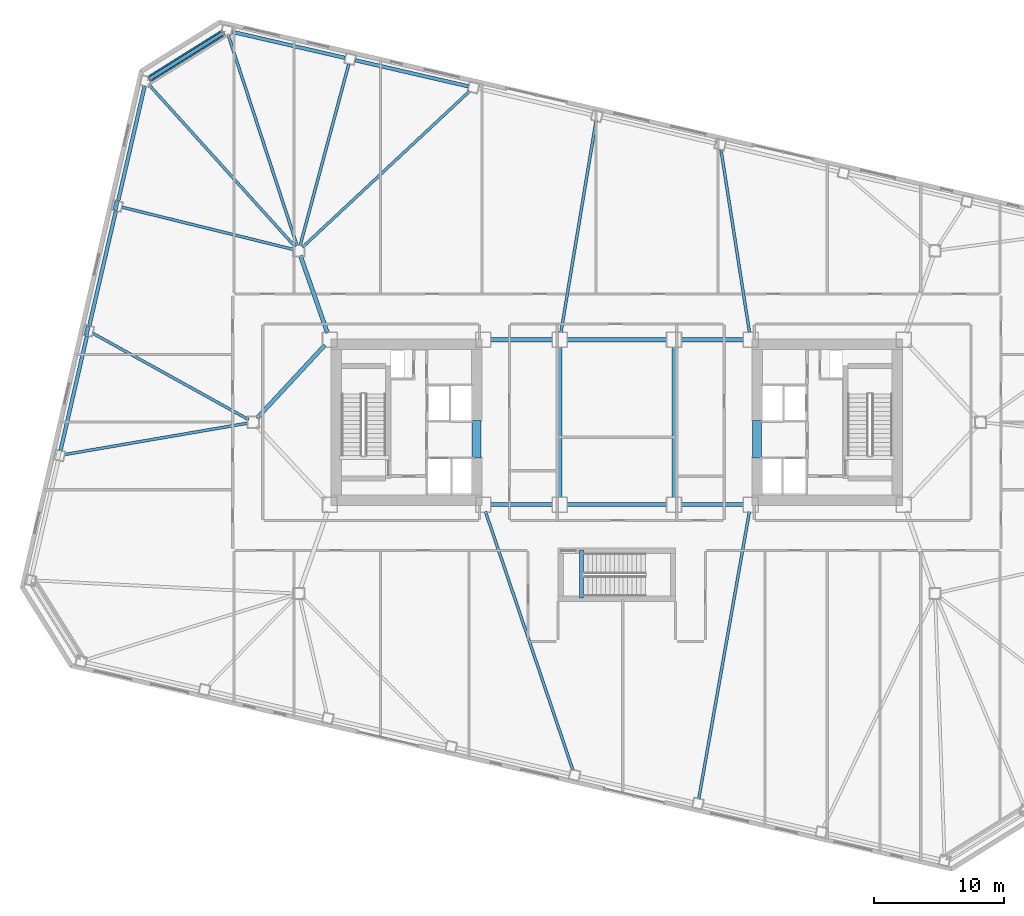
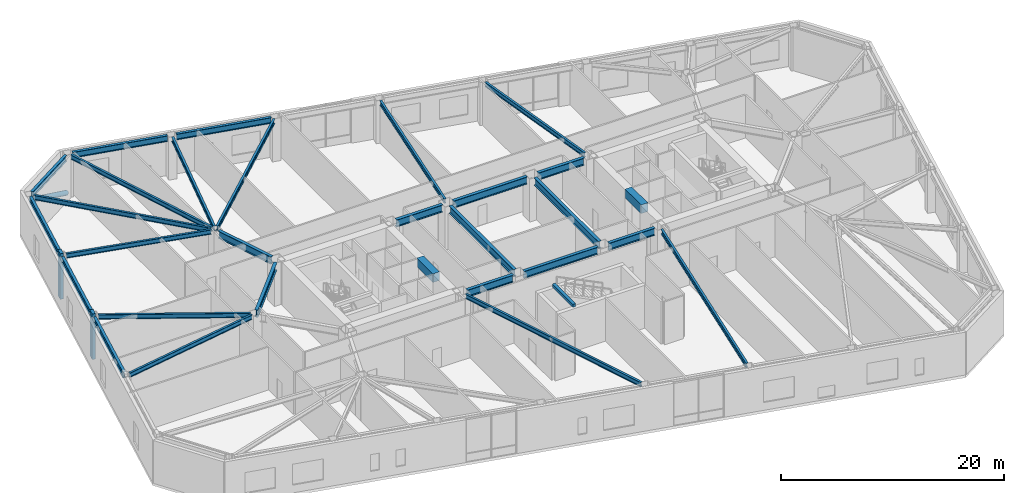
# One storey, part 5 of 20: 30 beams, 3 members.
"""IFC4 building model written with IfcOpenShell, lengths in metres."""

from ifc_helpers import new_model, si_unit, direction, frame, origin, origin_2d, place, context, subcontext, project, spatial, rectangle, hollow_circle, i_section, extrude, material, material_profile, profile_set, type_object, element, save


model = new_model("IFC4")

# Units and contexts
model_context = context("Model", 3, precision=1e-05, world=origin(), true_north=direction((0.0, 1.0)))
body_context = subcontext(model_context, "Body", "Model", "MODEL_VIEW")
ifc_project = project(units=[si_unit("LENGTHUNIT", "METRE"), si_unit("AREAUNIT", "SQUARE_METRE"), si_unit("VOLUMEUNIT", "CUBIC_METRE"), si_unit("PLANEANGLEUNIT", "RADIAN"), si_unit("MASSUNIT", "GRAM", prefix="KILO")], contexts=[model_context])

# Site, building, storey
site_placement = place(None, origin())
site = spatial("IfcSite", under=ifc_project, at=site_placement, CompositionType="ELEMENT")
building_placement = place(site_placement, origin())
building = spatial("IfcBuilding", under=site, at=building_placement, Name="Tavrogorsk Clinical Tower", CompositionType="ELEMENT")
storey_placement = place(building_placement, frame((0.0, 0.0, 18.39990234375)))
storey = spatial("IfcBuildingStorey", under=building, at=storey_placement, Name="L03", CompositionType="ELEMENT", Elevation=18.39990234375)

# Beams
ifc_material_1 = material(Name="Concrete B80", Category="concrete")
ifc_material_profile_1 = material_profile(ifc_material_1, rectangle(XDim=0.699951171875, YDim=0.949951171875, at=origin_2d()), Name="RC-CB-700x950")
ifc_profile_set_1 = profile_set([ifc_material_profile_1], Name="Concrete B80")
beam_type_1 = type_object("IfcBeamType", Name="CouplingBeam_RC700x950", PredefinedType="LINTEL", material=ifc_profile_set_1)
for number, where, z_axis, x_axis, name in (
    (1, (-10.800048828125, -2.75, 4.22509765625), (0.0, 1.0, 0.0), (-1.0, 0.0, 0.0), "L03 Core West Coupling Beam"),
    (2, (10.800048828125, -2.75, 4.22509765625), (0.0, 1.0, 0.0), (-1.0, 0.0, 0.0), "L03 Core East Coupling Beam"),
):
    element("IfcBeam", number, at=place(storey_placement, frame(where, z_axis=z_axis, x_axis=x_axis)), inside=storey, type_object=beam_type_1, Name=name, PredefinedType="LINTEL", context=body_context, shape_type="SweptSolid", body=[
        extrude(rectangle(XDim=0.699951171875, YDim=0.949951171875, at=origin_2d()), origin(), (0.0, 0.0, 1.0), 2.89990234375),
    ])

# Member
ifc_material_2 = material(Name="Structural steel S440", Category="steel")
ifc_material_profile_2 = material_profile(ifc_material_2, hollow_circle(Radius=0.25390625, WallThickness=0.02001953125, at=origin_2d()), Name="CHS-508x20")
ifc_profile_set_2 = profile_set([ifc_material_profile_2], Name="Structural steel S440")
member_type_1 = type_object("IfcMemberType", Name="ExoBrace_CHS508", PredefinedType="BRACE", material=ifc_profile_set_2)
member_placement = place(storey_placement, frame((-30.348876953125, 29.96337890625, 0.4833984375), z_axis=(-0.757567326236, -0.473364357029, 0.449464049413), x_axis=(0.529906183758, -0.848056269604, 0.0)))
element("IfcMember", 3, at=member_placement, inside=storey, type_object=member_type_1, Name="L03 Corner Exoskeleton Brace N8-W1", PredefinedType="BRACE", context=body_context, shape_type="SweptSolid", body=[
    extrude(hollow_circle(Radius=0.25390625, WallThickness=0.02001953125, at=origin_2d()), origin(), (0.0, 0.0, 1.0), 7.416015625),
])

# Beams
ifc_material_3 = material(Name="Structural steel S355", Category="steel")
ifc_material_profile_3 = material_profile(ifc_material_3, i_section(OverallWidth=0.219970703125, OverallDepth=0.5, WebThickness=0.012939453125, FlangeThickness=0.02001953125, at=origin_2d()), Name="B-500x220x13x20")
ifc_profile_set_3 = profile_set([ifc_material_profile_3], Name="Structural steel S355")
beam_type_2 = type_object("IfcBeamType", Name="FloorBeam_B500", PredefinedType="BEAM", material=ifc_profile_set_3)
beam_1_placement = place(storey_placement, frame((-10.12060546875, -6.88037109375, 4.4501953125), z_axis=(0.320354062285, -0.947297880699, 0.0), x_axis=(0.947297880699, 0.320354062285, 0.0)))
element("IfcBeam", 4, at=beam_1_placement, inside=storey, type_object=beam_type_2, Name="L03 Radial Floor Beam S5", PredefinedType="BEAM", context=body_context, shape_type="SweptSolid", body=[
    extrude(i_section(OverallWidth=0.219970703125, OverallDepth=0.5, WebThickness=0.012939453125, FlangeThickness=0.02001953125, at=origin_2d()), origin(), (0.0, 0.0, 1.0), 21.0185546875),
])
beam_2_placement = place(storey_placement, frame((10.202880859375, -6.901611328125, 4.4501953125), z_axis=(-0.173586433417, -0.984818638194, 0.0), x_axis=(0.984818638194, -0.173586433417, 0.0)))
element("IfcBeam", 5, at=beam_2_placement, inside=storey, type_object=beam_type_2, Name="L03 Radial Floor Beam S6", PredefinedType="BEAM", context=body_context, shape_type="SweptSolid", body=[
    extrude(i_section(OverallWidth=0.219970703125, OverallDepth=0.5, WebThickness=0.012939453125, FlangeThickness=0.02001953125, at=origin_2d()), origin(), (0.0, 0.0, 1.0), 22.407470703125),
])
beam_3_placement = place(storey_placement, frame((10.213623046875, 6.9033203125, 4.4501953125), z_axis=(-0.154089917001, 0.988056829073, 0.0), x_axis=(-0.988056829073, -0.154089917001, 0.0)))
element("IfcBeam", 6, at=beam_3_placement, inside=storey, type_object=beam_type_2, Name="L03 Radial Floor Beam N4", PredefinedType="BEAM", context=body_context, shape_type="SweptSolid", body=[
    extrude(i_section(OverallWidth=0.219970703125, OverallDepth=0.5, WebThickness=0.012939453125, FlangeThickness=0.02001953125, at=origin_2d()), origin(), (0.0, 0.0, 1.0), 14.24853515625),
])
beam_4_placement = place(storey_placement, frame((-4.308349609375, 6.90234375, 4.4501953125), z_axis=(0.163563683006, 0.986532777763, 0.0), x_axis=(-0.986532777763, 0.163563683006, 0.0)))
element("IfcBeam", 7, at=beam_4_placement, inside=storey, type_object=beam_type_2, Name="L03 Radial Floor Beam N5", PredefinedType="BEAM", context=body_context, shape_type="SweptSolid", body=[
    extrude(i_section(OverallWidth=0.219970703125, OverallDepth=0.5, WebThickness=0.012939453125, FlangeThickness=0.02001953125, at=origin_2d()), origin(), (0.0, 0.0, 1.0), 16.4951171875),
])
beam_5_placement = place(storey_placement, frame((-24.200439453125, 13.47998046875, 4.4501953125), z_axis=(0.730781163302, 0.682611816015, 0.0), x_axis=(-0.682611816015, 0.730781163302, 0.0)))
element("IfcBeam", 8, at=beam_5_placement, inside=storey, type_object=beam_type_2, Name="L03 Radial Floor Beam N6", PredefinedType="BEAM", context=body_context, shape_type="SweptSolid", body=[
    extrude(i_section(OverallWidth=0.219970703125, OverallDepth=0.5, WebThickness=0.012939453125, FlangeThickness=0.02001953125, at=origin_2d()), origin(), (0.0, 0.0, 1.0), 17.597412109375),
])
beam_6_placement = place(storey_placement, frame((-24.393798828125, 13.595947265625, 4.4501953125), z_axis=(0.25900262632, 0.965876617151, 0.0), x_axis=(-0.965876617151, 0.25900262632, 0.0)))
element("IfcBeam", 9, at=beam_6_placement, inside=storey, type_object=beam_type_2, Name="L03 Radial Floor Beam N7", PredefinedType="BEAM", context=body_context, shape_type="SweptSolid", body=[
    extrude(i_section(OverallWidth=0.219970703125, OverallDepth=0.5, WebThickness=0.012939453125, FlangeThickness=0.02001953125, at=origin_2d()), origin(), (0.0, 0.0, 1.0), 14.46728515625),
])
beam_7_placement = place(storey_placement, frame((-24.62744140625, 13.58984375, 4.4501953125), z_axis=(-0.310546210819, 0.950558283824, 0.0), x_axis=(-0.950558283824, -0.310546210819, 0.0)))
element("IfcBeam", 10, at=beam_7_placement, inside=storey, type_object=beam_type_2, Name="L03 Radial Floor Beam N8", PredefinedType="BEAM", context=body_context, shape_type="SweptSolid", body=[
    extrude(i_section(OverallWidth=0.219970703125, OverallDepth=0.5, WebThickness=0.012939453125, FlangeThickness=0.02001953125, at=origin_2d()), origin(), (0.0, 0.0, 1.0), 17.0205078125),
])
beam_8_placement = place(storey_placement, frame((-24.774658203125, 13.50439453125, 4.4501953125), z_axis=(-0.669660294237, 0.742667550337, 0.0), x_axis=(-0.742667550337, -0.669660294237, 0.0)))
element("IfcBeam", 11, at=beam_8_placement, inside=storey, type_object=beam_type_2, Name="L03 Radial Floor Beam W1", PredefinedType="BEAM", context=body_context, shape_type="SweptSolid", body=[
    extrude(i_section(OverallWidth=0.219970703125, OverallDepth=0.5, WebThickness=0.012939453125, FlangeThickness=0.02001953125, at=origin_2d()), origin(), (0.0, 0.0, 1.0), 16.76708984375),
])
beam_9_placement = place(storey_placement, frame((-24.89794921875, 13.298095703125, 4.4501953125), z_axis=(-0.970889910259, 0.23952616174, 0.0), x_axis=(-0.23952616174, -0.970889910259, 0.0)))
element("IfcBeam", 12, at=beam_9_placement, inside=storey, type_object=beam_type_2, Name="L03 Radial Floor Beam W2", PredefinedType="BEAM", context=body_context, shape_type="SweptSolid", body=[
    extrude(i_section(OverallWidth=0.219970703125, OverallDepth=0.5, WebThickness=0.012939453125, FlangeThickness=0.02001953125, at=origin_2d()), origin(), (0.0, 0.0, 1.0), 13.595947265625),
])
beam_10_placement = place(storey_placement, frame((-28.358642578125, 0.19873046875, 4.4501953125), z_axis=(-0.874654711976, 0.484746464472, 0.0), x_axis=(-0.484746464472, -0.874654711976, 0.0)))
element("IfcBeam", 13, at=beam_10_placement, inside=storey, type_object=beam_type_2, Name="L03 Radial Floor Beam W3", PredefinedType="BEAM", context=body_context, shape_type="SweptSolid", body=[
    extrude(i_section(OverallWidth=0.219970703125, OverallDepth=0.5, WebThickness=0.012939453125, FlangeThickness=0.02001953125, at=origin_2d()), origin(), (0.0, 0.0, 1.0), 13.7158203125),
])
beam_11_placement = place(storey_placement, frame((-28.404052734375, -0.0693359375, 4.4501953125), z_axis=(-0.985592408786, -0.169137824698, 0.0), x_axis=(0.169137824698, -0.985592408786, 0.0)))
element("IfcBeam", 14, at=beam_11_placement, inside=storey, type_object=beam_type_2, Name="L03 Radial Floor Beam W4", PredefinedType="BEAM", context=body_context, shape_type="SweptSolid", body=[
    extrude(i_section(OverallWidth=0.219970703125, OverallDepth=0.5, WebThickness=0.012939453125, FlangeThickness=0.02001953125, at=origin_2d()), origin(), (0.0, 0.0, 1.0), 14.33056640625),
])

# Members
ifc_material_4 = material(Name="Precast concrete B45 with limestone cladding", Category="masonry")
ifc_material_profile_4 = material_profile(ifc_material_4, rectangle(XDim=0.320068359375, YDim=0.719970703125, at=origin_2d()), Name="LIMESTONE-FIN-320x720")
ifc_profile_set_4 = profile_set([ifc_material_profile_4], Name="Precast concrete B45 with limestone cladding")
member_type_2 = type_object("IfcMemberType", Name="LimestonePleatFin_320x720", PredefinedType="USERDEFINED", material=ifc_profile_set_4)
for number, where, z_axis, x_axis, name in (
    (15, (-38.572265625, 16.67041015625, 0.0), (0.0, 0.0, 1.0), (0.974370064785, -0.224951054344, 0.0), "L03 W Pleated Stone Fin 1"),
    (16, (-40.7900390625, 7.06298828125, 0.0), (0.0, 0.0, 1.0), (0.974370064785, -0.224951054344, 0.0), "L03 W Pleated Stone Fin 2"),
):
    element("IfcMember", number, at=place(storey_placement, frame(where, z_axis=z_axis, x_axis=x_axis)), inside=storey, type_object=member_type_2, Name=name, ObjectType="FIN", PredefinedType="USERDEFINED", context=body_context, shape_type="SweptSolid", body=[
        extrude(rectangle(XDim=0.320068359375, YDim=0.719970703125, at=origin_2d()), origin(), (0.0, 0.0, 1.0), 5.0),
    ])

# Beams
ifc_material_5 = material(Name="Structural steel S390", Category="steel")
ifc_material_profile_5 = material_profile(ifc_material_5, i_section(OverallWidth=0.320068359375, OverallDepth=0.800048828125, WebThickness=0.02001953125, FlangeThickness=0.033935546875, at=origin_2d()), Name="B-800x320x20x34")
ifc_profile_set_5 = profile_set([ifc_material_profile_5], Name="Structural steel S390")
beam_type_3 = type_object("IfcBeamType", Name="PrimaryGirder_B800", PredefinedType="USERDEFINED", material=ifc_profile_set_5)
for number, where, z_axis, x_axis, name in (
    (17, (-9.739990234375, -6.35009765625, 4.300048828125), (1.0, 0.0, 0.0), (0.0, 1.0, 0.0), "L03 Primary Spine Girder MG-01"),
    (18, (-9.739990234375, 6.35009765625, 4.300048828125), (1.0, 0.0, 0.0), (0.0, 1.0, 0.0), "L03 Primary Spine Girder MG-02"),
):
    element("IfcBeam", number, at=place(storey_placement, frame(where, z_axis=z_axis, x_axis=x_axis)), inside=storey, type_object=beam_type_3, Name=name, ObjectType="GIRDER", PredefinedType="USERDEFINED", context=body_context, shape_type="SweptSolid", body=[
        extrude(i_section(OverallWidth=0.320068359375, OverallDepth=0.800048828125, WebThickness=0.02001953125, FlangeThickness=0.033935546875, at=origin_2d()), origin(), (0.0, 0.0, 1.0), 4.780029296875),
    ])
for number, where, z_axis, x_axis, name in (
    (19, (-3.840087890625, -6.35009765625, 4.300048828125), (1.0, 0.0, 0.0), (0.0, 1.0, 0.0), "L03 Primary Spine Girder MG-03"),
    (20, (-3.840087890625, 6.35009765625, 4.300048828125), (1.0, 0.0, 0.0), (0.0, 1.0, 0.0), "L03 Primary Spine Girder MG-04"),
):
    element("IfcBeam", number, at=place(storey_placement, frame(where, z_axis=z_axis, x_axis=x_axis)), inside=storey, type_object=beam_type_3, Name=name, ObjectType="GIRDER", PredefinedType="USERDEFINED", context=body_context, shape_type="SweptSolid", body=[
        extrude(i_section(OverallWidth=0.320068359375, OverallDepth=0.800048828125, WebThickness=0.02001953125, FlangeThickness=0.033935546875, at=origin_2d()), origin(), (0.0, 0.0, 1.0), 7.68017578125),
    ])
for number, where, z_axis, x_axis, name in (
    (21, (4.9599609375, -6.35009765625, 4.300048828125), (1.0, 0.0, 0.0), (0.0, 1.0, 0.0), "L03 Primary Spine Girder MG-05"),
    (22, (4.9599609375, 6.35009765625, 4.300048828125), (1.0, 0.0, 0.0), (0.0, 1.0, 0.0), "L03 Primary Spine Girder MG-06"),
):
    element("IfcBeam", number, at=place(storey_placement, frame(where, z_axis=z_axis, x_axis=x_axis)), inside=storey, type_object=beam_type_3, Name=name, ObjectType="GIRDER", PredefinedType="USERDEFINED", context=body_context, shape_type="SweptSolid", body=[
        extrude(i_section(OverallWidth=0.320068359375, OverallDepth=0.800048828125, WebThickness=0.02001953125, FlangeThickness=0.033935546875, at=origin_2d()), origin(), (0.0, 0.0, 1.0), 4.780029296875),
    ])
for number, where, z_axis, x_axis, name in (
    (23, (-4.39990234375, -5.7900390625, 4.300048828125), (0.0, 1.0, 0.0), (-1.0, 0.0, 0.0), "L03 Primary Spine Girder MG-07"),
    (24, (4.39990234375, -5.7900390625, 4.300048828125), (0.0, 1.0, 0.0), (-1.0, 0.0, 0.0), "L03 Primary Spine Girder MG-08"),
):
    element("IfcBeam", number, at=place(storey_placement, frame(where, z_axis=z_axis, x_axis=x_axis)), inside=storey, type_object=beam_type_3, Name=name, ObjectType="GIRDER", PredefinedType="USERDEFINED", context=body_context, shape_type="SweptSolid", body=[
        extrude(i_section(OverallWidth=0.320068359375, OverallDepth=0.800048828125, WebThickness=0.02001953125, FlangeThickness=0.033935546875, at=origin_2d()), origin(), (0.0, 0.0, 1.0), 11.580078125),
    ])
beam_12_placement = place(storey_placement, frame((-24.364501953125, 12.81298828125, 4.300048828125), z_axis=(0.330668611543, -0.943746930771, 0.0), x_axis=(0.943746930771, 0.330668611543, 0.0)))
element("IfcBeam", 25, at=beam_12_placement, inside=storey, type_object=beam_type_3, Name="L03 Spine Link Girder OPG-3", ObjectType="GIRDER", PredefinedType="USERDEFINED", context=body_context, shape_type="SweptSolid", body=[
    extrude(i_section(OverallWidth=0.320068359375, OverallDepth=0.800048828125, WebThickness=0.02001953125, FlangeThickness=0.033935546875, at=origin_2d()), origin(), (0.0, 0.0, 1.0), 6.288330078125),
])
beam_13_placement = place(storey_placement, frame((-27.720947265625, 0.30029296875, 4.300048828125), z_axis=(0.680671250221, 0.732589004233, 0.0), x_axis=(-0.732589004233, 0.680671250221, 0.0)))
element("IfcBeam", 26, at=beam_13_placement, inside=storey, type_object=beam_type_3, Name="L03 Spine Link Girder OPG-6", ObjectType="GIRDER", PredefinedType="USERDEFINED", context=body_context, shape_type="SweptSolid", body=[
    extrude(i_section(OverallWidth=0.320068359375, OverallDepth=0.800048828125, WebThickness=0.02001953125, FlangeThickness=0.033935546875, at=origin_2d()), origin(), (0.0, 0.0, 1.0), 7.697998046875),
])
ifc_material_6 = material(Name="Structural steel S390", Category="steel")
ifc_material_profile_6 = material_profile(ifc_material_6, i_section(OverallWidth=0.280029296875, OverallDepth=0.64990234375, WebThickness=0.01611328125, FlangeThickness=0.02490234375, at=origin_2d()), Name="B-650x280x16x25")
ifc_profile_set_6 = profile_set([ifc_material_profile_6], Name="Structural steel S390")
beam_type_4 = type_object("IfcBeamType", Name="SpandrelBeam_B650", PredefinedType="SPANDREL", material=ifc_profile_set_6)
for number, where, z_axis, x_axis, name in (
    (27, (-11.43994140625, 25.862548828125, 4.375), (-0.974372766602, 0.224939351168, 0.0), (-0.224939351168, -0.974372766602, 0.0), "L03 Perimeter Spandrel N6-N7"),
    (28, (-20.9384765625, 28.055419921875, 4.375), (-0.974366775889, 0.224965299645, 0.0), (-0.224965299645, -0.974366775889, 0.0), "L03 Perimeter Spandrel N7-N8"),
):
    element("IfcBeam", number, at=place(storey_placement, frame(where, z_axis=z_axis, x_axis=x_axis)), inside=storey, type_object=beam_type_4, Name=name, PredefinedType="SPANDREL", context=body_context, shape_type="SweptSolid", body=[
        extrude(i_section(OverallWidth=0.280029296875, OverallDepth=0.64990234375, WebThickness=0.01611328125, FlangeThickness=0.02490234375, at=origin_2d()), origin(), (0.0, 0.0, 1.0), 8.9326171875),
    ])
beam_14_placement = place(storey_placement, frame((-30.3857421875, 29.9404296875, 4.375), z_axis=(-0.848044454239, -0.529925092475, 0.0), x_axis=(0.529925092475, -0.848044454239, 0.0)))
element("IfcBeam", 29, at=beam_14_placement, inside=storey, type_object=beam_type_4, Name="L03 Perimeter Spandrel N8-W1", PredefinedType="SPANDREL", context=body_context, shape_type="SweptSolid", body=[
    extrude(i_section(OverallWidth=0.280029296875, OverallDepth=0.64990234375, WebThickness=0.01611328125, FlangeThickness=0.02490234375, at=origin_2d()), origin(), (0.0, 0.0, 1.0), 6.537841796875),
])
beam_15_placement = place(storey_placement, frame((-36.367919921875, 25.862060546875, 4.375), z_axis=(-0.224952169462, -0.974369807339, 0.0), x_axis=(0.974369807339, -0.224952169462, 0.0)))
element("IfcBeam", 30, at=beam_15_placement, inside=storey, type_object=beam_type_4, Name="L03 Perimeter Spandrel W1-W2", PredefinedType="SPANDREL", context=body_context, shape_type="SweptSolid", body=[
    extrude(i_section(OverallWidth=0.280029296875, OverallDepth=0.64990234375, WebThickness=0.01611328125, FlangeThickness=0.02490234375, at=origin_2d()), origin(), (0.0, 0.0, 1.0), 9.043701171875),
])
beam_16_placement = place(storey_placement, frame((-38.5859375, 16.2548828125, 4.375), z_axis=(-0.224946252597, -0.974371173343, 0.0), x_axis=(0.974371173343, -0.224946252597, 0.0)))
element("IfcBeam", 31, at=beam_16_placement, inside=storey, type_object=beam_type_4, Name="L03 Perimeter Spandrel W2-W3", PredefinedType="SPANDREL", context=body_context, shape_type="SweptSolid", body=[
    extrude(i_section(OverallWidth=0.280029296875, OverallDepth=0.64990234375, WebThickness=0.01611328125, FlangeThickness=0.02490234375, at=origin_2d()), origin(), (0.0, 0.0, 1.0), 9.0439453125),
])
beam_17_placement = place(storey_placement, frame((-40.803955078125, 6.6474609375, 4.375), z_axis=(-0.224952169462, -0.974369807339, 0.0), x_axis=(0.974369807339, -0.224952169462, 0.0)))
element("IfcBeam", 32, at=beam_17_placement, inside=storey, type_object=beam_type_4, Name="L03 Perimeter Spandrel W3-W4", PredefinedType="SPANDREL", context=body_context, shape_type="SweptSolid", body=[
    extrude(i_section(OverallWidth=0.280029296875, OverallDepth=0.64990234375, WebThickness=0.01611328125, FlangeThickness=0.02490234375, at=origin_2d()), origin(), (0.0, 0.0, 1.0), 9.043701171875),
])
ifc_material_7 = material(Name="Concrete B60", Category="concrete")
ifc_material_profile_7 = material_profile(ifc_material_7, rectangle(XDim=0.300048828125, YDim=0.35009765625, at=origin_2d()), Name="RC-SHB-300x350")
ifc_profile_set_7 = profile_set([ifc_material_profile_7], Name="Concrete B60")
beam_type_5 = type_object("IfcBeamType", Name="StairHeaderBeam_RC300x350", PredefinedType="BEAM", material=ifc_profile_set_7)
beam_18_placement = place(storey_placement, frame((-2.719970703125, -13.550048828125, 4.8251953125), z_axis=(0.0, 1.0, 0.0), x_axis=(-1.0, 0.0, 0.0)))
element("IfcBeam", 33, at=beam_18_placement, inside=storey, type_object=beam_type_5, Name="L04 ST-P Landing Header Beam", PredefinedType="BEAM", context=body_context, shape_type="SweptSolid", body=[
    extrude(rectangle(XDim=0.300048828125, YDim=0.35009765625, at=origin_2d()), origin(), (0.0, 0.0, 1.0), 3.699951171875),
])

save(model, "model.ifc")
